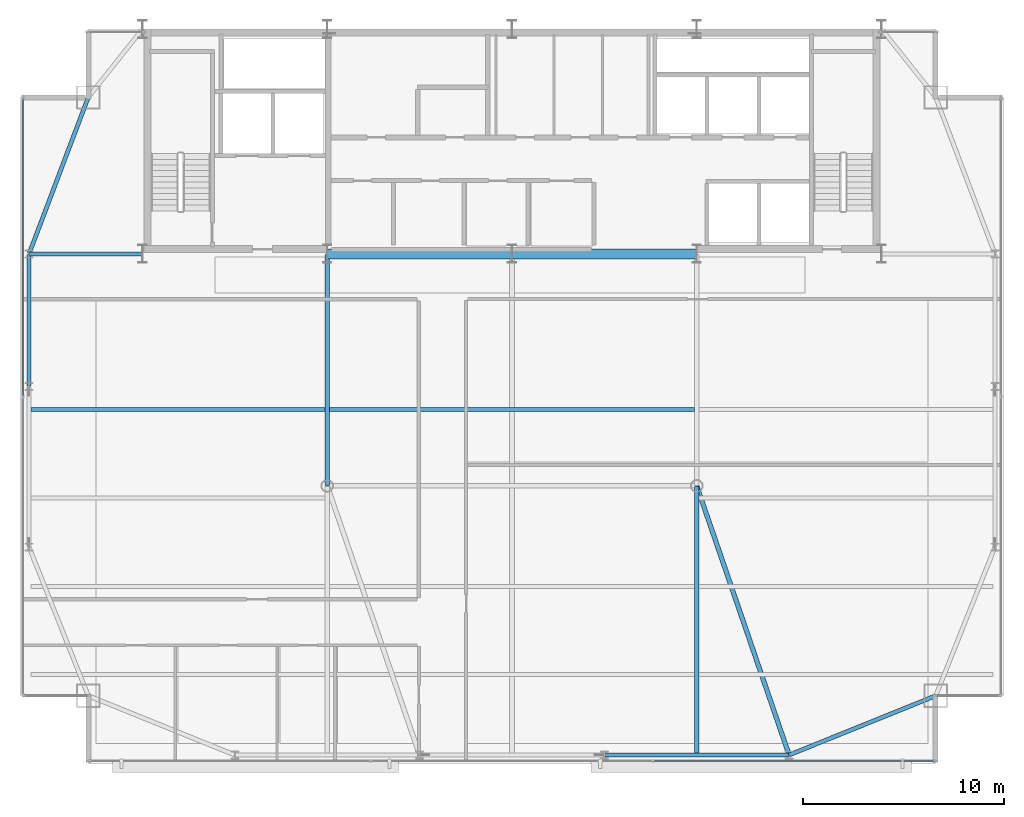
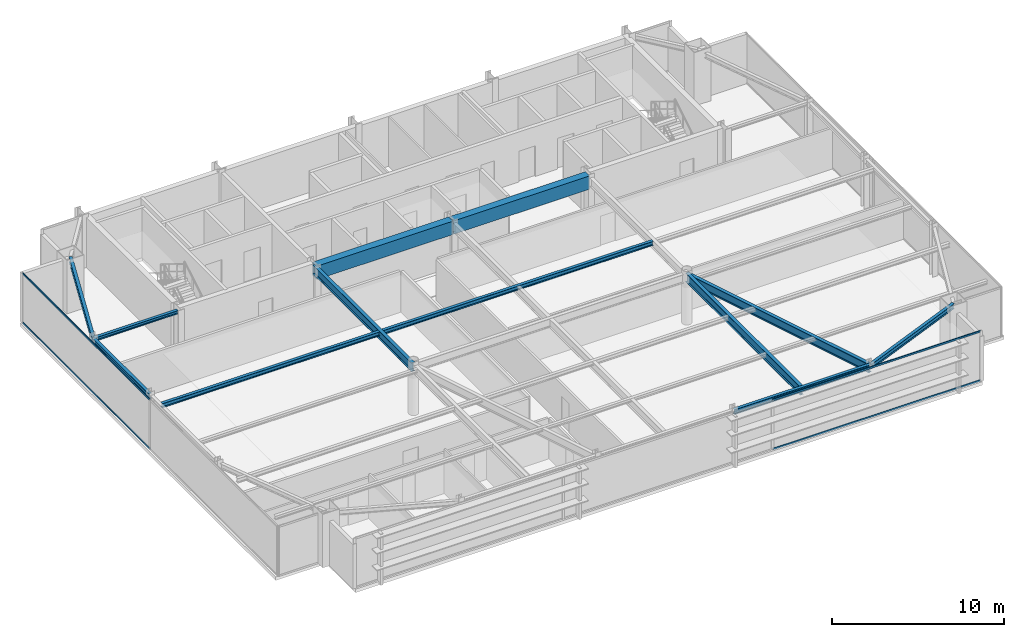
# One storey, part 10 of 25: 12 beams, 4 members, 2 elements without a shape of their own.
"""IFC4 building model written with IfcOpenShell, lengths in metres."""

from ifc_helpers import new_model, si_unit, direction, frame, origin, origin_2d, place, context, subcontext, project, spatial, rectangle, hollow_rectangle, i_section, extrude, source, transform, mapped, material, layer, layer_set, material_profile, profile_set, type_object, type_shapes, element, aggregate, save


model = new_model("IFC4")

# Units and contexts
model_context = context("Model", 3, precision=1e-05, world=origin(), true_north=direction((0.0, 1.0)))
body_context = subcontext(model_context, "Body", "Model", "MODEL_VIEW")
ifc_project = project(units=[si_unit("LENGTHUNIT", "METRE"), si_unit("AREAUNIT", "SQUARE_METRE"), si_unit("VOLUMEUNIT", "CUBIC_METRE"), si_unit("PLANEANGLEUNIT", "RADIAN"), si_unit("MASSUNIT", "GRAM", prefix="KILO")], contexts=[model_context])

# Site, building, storey
site_placement = place(None, origin())
site = spatial("IfcSite", under=ifc_project, at=site_placement, CompositionType="ELEMENT")
building_placement = place(site_placement, origin())
building = spatial("IfcBuilding", under=site, at=building_placement, Name="Varnel Quay Broadcast Tower", CompositionType="ELEMENT")
storey_placement = place(building_placement, frame((0.0, 0.0, 250.800048828125)))
storey = spatial("IfcBuildingStorey", under=building, at=storey_placement, Name="L62", CompositionType="ELEMENT", Elevation=250.800048828125)

# Beams
ifc_material_1 = material(Name="Concrete CSA A23.3 C50/60", Category="concrete")
ifc_material_profile_1 = material_profile(ifc_material_1, rectangle(XDim=0.5, YDim=0.949951171875, at=origin_2d()), Name="RC500X950")
ifc_profile_set_1 = profile_set([ifc_material_profile_1], Name="Concrete CSA A23.3 C50/60")
beam_type_1 = type_object("IfcBeamType", Name="Beam_RC500X950", PredefinedType="BEAM", material=ifc_profile_set_1)
shared_shape_1 = source(origin(), body_context, "Body", "SweptSolid", [
    extrude(rectangle(XDim=0.5, YDim=0.949951171875, at=origin_2d()), origin(), (0.0, 0.0, 1.0), 9.159912109375),
])
type_shapes(beam_type_1, [shared_shape_1])
for number, where, z_axis, x_axis, name in (
    (1, (24.820068359375, 35.60009765625, 3.074951171875), (1.0, 0.0, 0.0), (0.0, 1.0, 0.0), "L62 Core Coupling Beam W"),
    (2, (34.02001953125, 35.60009765625, 3.074951171875), (1.0, 0.0, 0.0), (0.0, 1.0, 0.0), "L62 Core Coupling Beam E"),
):
    element("IfcBeam", number, at=place(storey_placement, frame(where, z_axis=z_axis, x_axis=x_axis)), inside=storey, type_object=beam_type_1, Name=name, PredefinedType="BEAM", context=body_context, shape_type="MappedRepresentation", body=[
        mapped(shared_shape_1, transform((0.0, 0.0, 0.0), x_axis=(1.0, 0.0, 0.0), y_axis=(0.0, 1.0, 0.0), z_axis=(0.0, 0.0, 1.0), scale=1.0)),
    ])
ifc_material_2 = material(Name="Structural Steel CSA G40.21 350W", Category="steel")
ifc_material_profile_2 = material_profile(ifc_material_2, i_section(OverallWidth=0.205078125, OverallDepth=0.35400390625, WebThickness=0.009521484375, FlangeThickness=0.016845703125, FilletRadius=0.012939453125, at=origin_2d()), Name="W360X79")
ifc_profile_set_2 = profile_set([ifc_material_profile_2], Name="Structural Steel CSA G40.21 350W")
beam_type_2 = type_object("IfcBeamType", Name="Beam_W360X79", PredefinedType="SPANDREL", material=ifc_profile_set_2)
shared_shape_2 = source(origin(), body_context, "Body", "SweptSolid", [
    extrude(i_section(OverallWidth=0.205078125, OverallDepth=0.35400390625, WebThickness=0.009521484375, FlangeThickness=0.016845703125, FilletRadius=0.012939453125, at=origin_2d()), origin(), (0.0, 0.0, 1.0), 7.83349609375),
])
beam_1_placement = place(storey_placement, frame((47.818603515625, 10.657470703125, 3.373046875), z_axis=(0.927155449606, 0.374676890489, 0.0), x_axis=(-0.374676890489, 0.927155449606, 0.0)))
element("IfcBeam", 3, at=beam_1_placement, inside=storey, type_object=beam_type_2, Name="L62 South Spandrel TC-S4-MC-SE", PredefinedType="SPANDREL", context=body_context, shape_type="MappedRepresentation", body=[
    mapped(shared_shape_2, transform((0.0, 0.0, 0.0), x_axis=(1.0, 0.0, 0.0), y_axis=(0.0, 1.0, 0.0), z_axis=(0.0, 0.0, 1.0), scale=1.0)),
])
shared_shape_3 = source(origin(), body_context, "Body", "SweptSolid", [
    extrude(i_section(OverallWidth=0.205078125, OverallDepth=0.35400390625, WebThickness=0.009521484375, FlangeThickness=0.016845703125, FilletRadius=0.012939453125, at=origin_2d()), origin(), (0.0, 0.0, 1.0), 9.159912109375),
])
beam_2_placement = place(storey_placement, frame((38.6201171875, 10.64990234375, 3.373046875), z_axis=(1.0, 0.0, 0.0), x_axis=(0.0, 1.0, 0.0)))
element("IfcBeam", 4, at=beam_2_placement, inside=storey, type_object=beam_type_2, Name="L62 South Spandrel TC-S3-TC-S4", PredefinedType="SPANDREL", context=body_context, shape_type="MappedRepresentation", body=[
    mapped(shared_shape_3, transform((0.0, 0.0, 0.0), x_axis=(1.0, 0.0, 0.0), y_axis=(0.0, 1.0, 0.0), z_axis=(0.0, 0.0, 1.0), scale=1.0)),
])
shared_shape_4 = source(origin(), body_context, "Body", "SweptSolid", [
    extrude(i_section(OverallWidth=0.205078125, OverallDepth=0.35400390625, WebThickness=0.009521484375, FlangeThickness=0.016845703125, FilletRadius=0.012939453125, at=origin_2d()), origin(), (0.0, 0.0, 1.0), 6.56005859375),
])
beam_3_placement = place(storey_placement, frame((9.949951171875, 29.02001953125, 3.373046875), z_axis=(0.0, 1.0, 0.0), x_axis=(-1.0, 0.0, 0.0)))
element("IfcBeam", 5, at=beam_3_placement, inside=storey, type_object=beam_type_2, Name="L62 West Spandrel TC-W2-TC-W3", PredefinedType="SPANDREL", context=body_context, shape_type="MappedRepresentation", body=[
    mapped(shared_shape_4, transform((0.0, 0.0, 0.0), x_axis=(1.0, 0.0, 0.0), y_axis=(0.0, 1.0, 0.0), z_axis=(0.0, 0.0, 1.0), scale=1.0)),
])
shared_shape_5 = source(origin(), body_context, "Body", "SweptSolid", [
    extrude(i_section(OverallWidth=0.205078125, OverallDepth=0.35400390625, WebThickness=0.009521484375, FlangeThickness=0.016845703125, FilletRadius=0.012939453125, at=origin_2d()), origin(), (0.0, 0.0, 1.0), 8.29931640625),
])
type_shapes(beam_type_2, [shared_shape_2, shared_shape_3, shared_shape_4, shared_shape_5])
beam_4_placement = place(storey_placement, frame((9.95703125, 35.61865234375, 3.373046875), z_axis=(0.353739782058, 0.935343876117, 0.0), x_axis=(-0.935343876117, 0.353739782058, 0.0)))
element("IfcBeam", 6, at=beam_4_placement, inside=storey, type_object=beam_type_2, Name="L62 West Spandrel TC-W3-MC-NW", PredefinedType="SPANDREL", context=body_context, shape_type="MappedRepresentation", body=[
    mapped(shared_shape_5, transform((0.0, 0.0, 0.0), x_axis=(1.0, 0.0, 0.0), y_axis=(0.0, 1.0, 0.0), z_axis=(0.0, 0.0, 1.0), scale=1.0)),
])
ifc_material_profile_3 = material_profile(ifc_material_2, i_section(OverallWidth=0.22998046875, OverallDepth=0.616943359375, WebThickness=0.01318359375, FlangeThickness=0.022216796875, FilletRadius=0.01611328125, at=origin_2d()), Name="W610X140")
ifc_profile_set_3 = profile_set([ifc_material_profile_3], Name="Structural Steel CSA G40.21 350W")
beam_type_3 = type_object("IfcBeamType", Name="Girder_W610X140", PredefinedType="BEAM", material=ifc_profile_set_3)
shared_shape_6 = source(origin(), body_context, "Body", "SweptSolid", [
    extrude(i_section(OverallWidth=0.22998046875, OverallDepth=0.616943359375, WebThickness=0.01318359375, FlangeThickness=0.022216796875, FilletRadius=0.01611328125, at=origin_2d()), origin(), (0.0, 0.0, 1.0), 14.12744140625),
])
beam_5_placement = place(storey_placement, frame((47.79345703125, 10.6689453125, 3.241455078125), z_axis=(-0.324681288447, 0.945823482967, 0.0), x_axis=(-0.945823482967, -0.324681288447, 0.0)))
element("IfcBeam", 7, at=beam_5_placement, inside=storey, type_object=beam_type_3, Name="L62 Primary Girder TC-S4-IC-02", PredefinedType="BEAM", context=body_context, shape_type="MappedRepresentation", body=[
    mapped(shared_shape_6, transform((0.0, 0.0, 0.0), x_axis=(1.0, 0.0, 0.0), y_axis=(0.0, 1.0, 0.0), z_axis=(0.0, 0.0, 1.0), scale=1.0)),
])
shared_shape_7 = source(origin(), body_context, "Body", "SweptSolid", [
    extrude(i_section(OverallWidth=0.22998046875, OverallDepth=0.616943359375, WebThickness=0.01318359375, FlangeThickness=0.022216796875, FilletRadius=0.01611328125, at=origin_2d()), origin(), (0.0, 0.0, 1.0), 11.510009765625),
])
beam_6_placement = place(storey_placement, frame((24.800048828125, 24.070068359375, 3.241455078125), z_axis=(0.0, 1.0, 0.0), x_axis=(-1.0, 0.0, 0.0)))
element("IfcBeam", 8, at=beam_6_placement, inside=storey, type_object=beam_type_3, Name="L62 Primary Girder IC-01-CC-S2", PredefinedType="BEAM", context=body_context, shape_type="MappedRepresentation", body=[
    mapped(shared_shape_7, transform((0.0, 0.0, 0.0), x_axis=(1.0, 0.0, 0.0), y_axis=(0.0, 1.0, 0.0), z_axis=(0.0, 0.0, 1.0), scale=1.0)),
])
shared_shape_8 = source(origin(), body_context, "Body", "SweptSolid", [
    extrude(i_section(OverallWidth=0.22998046875, OverallDepth=0.616943359375, WebThickness=0.01318359375, FlangeThickness=0.022216796875, FilletRadius=0.01611328125, at=origin_2d()), origin(), (0.0, 0.0, 1.0), 13.360107421875),
])
type_shapes(beam_type_3, [shared_shape_6, shared_shape_7, shared_shape_8])
beam_7_placement = place(storey_placement, frame((43.199951171875, 10.669921875, 3.241455078125), z_axis=(0.0, 1.0, 0.0), x_axis=(-1.0, 0.0, 0.0)))
element("IfcBeam", 9, at=beam_7_placement, inside=storey, type_object=beam_type_3, Name="L62 N-S Joist Header IC-02S", PredefinedType="BEAM", context=body_context, shape_type="MappedRepresentation", body=[
    mapped(shared_shape_8, transform((0.0, 0.0, 0.0), x_axis=(1.0, 0.0, 0.0), y_axis=(0.0, 1.0, 0.0), z_axis=(0.0, 0.0, 1.0), scale=1.0)),
])
ifc_material_profile_4 = material_profile(ifc_material_2, i_section(OverallWidth=0.201904296875, OverallDepth=0.2470703125, WebThickness=0.00732421875, FlangeThickness=0.010986328125, FilletRadius=0.010986328125, at=origin_2d()), Name="W250X49")
ifc_profile_set_4 = profile_set([ifc_material_profile_4], Name="Structural Steel CSA G40.21 350W")
beam_type_4 = type_object("IfcBeamType", Name="Beam_W250X49", PredefinedType="JOIST", material=ifc_profile_set_4)
shared_shape_9 = source(origin(), body_context, "Body", "SweptSolid", [
    extrude(i_section(OverallWidth=0.201904296875, OverallDepth=0.2470703125, WebThickness=0.00732421875, FlangeThickness=0.010986328125, FilletRadius=0.010986328125, at=origin_2d()), origin(), (0.0, 0.0, 1.0), 5.610107421875),
])
type_shapes(beam_type_4, [shared_shape_9])
beam_8_placement = place(storey_placement, frame((9.969970703125, 35.60009765625, 3.426513671875), z_axis=(1.0, 0.0, 0.0), x_axis=(0.0, 1.0, 0.0)))
element("IfcBeam", 10, at=beam_8_placement, inside=storey, type_object=beam_type_4, Name="L62 West Core Tie Joist", PredefinedType="JOIST", context=body_context, shape_type="MappedRepresentation", body=[
    mapped(shared_shape_9, transform((0.0, 0.0, 0.0), x_axis=(1.0, 0.0, 0.0), y_axis=(0.0, 1.0, 0.0), z_axis=(0.0, 0.0, 1.0), scale=1.0)),
])
ifc_material_profile_5 = material_profile(ifc_material_2, i_section(OverallWidth=0.202880859375, OverallDepth=0.302978515625, WebThickness=0.007568359375, FlangeThickness=0.01318359375, FilletRadius=0.011962890625, at=origin_2d()), Name="W310X60")
ifc_profile_set_5 = profile_set([ifc_material_profile_5], Name="Structural Steel CSA G40.21 350W")
beam_type_5 = type_object("IfcBeamType", Name="Beam_W310X60", PredefinedType="JOIST", material=ifc_profile_set_5)
shared_shape_10 = source(origin(), body_context, "Body", "SweptSolid", [
    extrude(i_section(OverallWidth=0.202880859375, OverallDepth=0.302978515625, WebThickness=0.007568359375, FlangeThickness=0.01318359375, FilletRadius=0.011962890625, at=origin_2d()), origin(), (0.0, 0.0, 1.0), 14.642333984375),
])
beam_9_placement = place(storey_placement, frame((10.047607421875, 27.85009765625, 3.3984375), z_axis=(1.0, 0.0, 0.0), x_axis=(0.0, 1.0, 0.0)))
element("IfcBeam", 11, at=beam_9_placement, inside=storey, type_object=beam_type_5, Name="L62 West Floor Joist 4", PredefinedType="JOIST", context=body_context, shape_type="MappedRepresentation", body=[
    mapped(shared_shape_10, transform((0.0, 0.0, 0.0), x_axis=(1.0, 0.0, 0.0), y_axis=(0.0, 1.0, 0.0), z_axis=(0.0, 0.0, 1.0), scale=1.0)),
])
shared_shape_11 = source(origin(), body_context, "Body", "SweptSolid", [
    extrude(i_section(OverallWidth=0.202880859375, OverallDepth=0.302978515625, WebThickness=0.007568359375, FlangeThickness=0.01318359375, FilletRadius=0.011962890625, at=origin_2d()), origin(), (0.0, 0.0, 1.0), 18.18017578125),
])
type_shapes(beam_type_5, [shared_shape_10, shared_shape_11])
beam_10_placement = place(storey_placement, frame((24.909912109375, 27.85009765625, 3.3984375), z_axis=(1.0, 0.0, 0.0), x_axis=(0.0, 1.0, 0.0)))
element("IfcBeam", 12, at=beam_10_placement, inside=storey, type_object=beam_type_5, Name="L62 Central Floor Joist 4", PredefinedType="JOIST", context=body_context, shape_type="MappedRepresentation", body=[
    mapped(shared_shape_11, transform((0.0, 0.0, 0.0), x_axis=(1.0, 0.0, 0.0), y_axis=(0.0, 1.0, 0.0), z_axis=(0.0, 0.0, 1.0), scale=1.0)),
])

# Curtain wall, members
ifc_material_3 = material(Name="Anodised Bronze Aluminium 6063-T6", Category="aluminium")
ifc_layer = layer(ifc_material_3, 0.18994140625, Name="Anodised Bronze Aluminium 6063-T6")
ifc_layer_set = layer_set([ifc_layer], Name="Anodised Bronze Aluminium 6063-T6")
curtain_wall_type = type_object("IfcCurtainWallType", Name="CW_UpperTower", PredefinedType="NOTDEFINED", material=ifc_layer_set)
curtain_wall_1_placement = place(storey_placement, origin())
curtain_wall_1 = element("IfcCurtainWall", 13, at=curtain_wall_1_placement, inside=storey, type_object=curtain_wall_type, Name="L62 West Unitised Curtain Wall", PredefinedType="NOTDEFINED")
ifc_material_profile_6 = material_profile(ifc_material_3, hollow_rectangle(XDim=0.06005859375, YDim=0.125, WallThickness=0.0029296875, at=origin_2d()), Name="ALU60X125X3")
ifc_profile_set_6 = profile_set([ifc_material_profile_6], Name="Anodised Bronze Aluminium 6063-T6")
member_type = type_object("IfcMemberType", Name="Tran_CWS-03", PredefinedType="USERDEFINED", material=ifc_profile_set_6)
shared_shape_12 = source(origin(), body_context, "Body", "SweptSolid", [
    extrude(hollow_rectangle(XDim=0.06005859375, YDim=0.125, WallThickness=0.0029296875, at=origin_2d()), origin(), (0.0, 0.0, 1.0), 14.802490234375),
])
member_1_placement = place(storey_placement, frame((9.64990234375, 28.532470703125, 0.030029296875), z_axis=(0.0, 1.0, 0.0), x_axis=(-1.0, 0.0, 0.0)))
member_1 = element("IfcMember", 14, at=member_1_placement, type_object=member_type, Name="CWS-03 transom 2.1", ObjectType="TRANSOM", PredefinedType="USERDEFINED", context=body_context, shape_type="MappedRepresentation", body=[
    mapped(shared_shape_12, transform((0.0, 0.0, 0.0), x_axis=(1.0, 0.0, 0.0), y_axis=(0.0, 1.0, 0.0), z_axis=(0.0, 0.0, 1.0), scale=1.0)),
])
member_2_placement = place(storey_placement, frame((9.64990234375, 28.532470703125, 3.52001953125), z_axis=(0.0, 1.0, 0.0), x_axis=(-1.0, 0.0, 0.0)))
member_2 = element("IfcMember", 15, at=member_2_placement, type_object=member_type, Name="CWS-03 transom 2.2", ObjectType="TRANSOM", PredefinedType="USERDEFINED", context=body_context, shape_type="MappedRepresentation", body=[
    mapped(shared_shape_12, transform((0.0, 0.0, 0.0), x_axis=(1.0, 0.0, 0.0), y_axis=(0.0, 1.0, 0.0), z_axis=(0.0, 0.0, 1.0), scale=1.0)),
])
aggregate(curtain_wall_1, [member_1, member_2])

curtain_wall_2_placement = place(storey_placement, origin())
curtain_wall_2 = element("IfcCurtainWall", 16, at=curtain_wall_2_placement, inside=storey, type_object=curtain_wall_type, Name="L62 South Unitised Curtain Wall 1", PredefinedType="NOTDEFINED")
shared_shape_13 = source(origin(), body_context, "Body", "SweptSolid", [
    extrude(hollow_rectangle(XDim=0.06005859375, YDim=0.125, WallThickness=0.0029296875, at=origin_2d()), origin(), (0.0, 0.0, 1.0), 13.968994140625),
])
type_shapes(member_type, [shared_shape_12, shared_shape_13])
member_3_placement = place(storey_placement, frame((41.06591796875, 10.35009765625, 0.030029296875), z_axis=(1.0, 0.0, 0.0), x_axis=(0.0, 1.0, 0.0)))
member_3 = element("IfcMember", 17, at=member_3_placement, type_object=member_type, Name="CWS-03 transom 3.1", ObjectType="TRANSOM", PredefinedType="USERDEFINED", context=body_context, shape_type="MappedRepresentation", body=[
    mapped(shared_shape_13, transform((0.0, 0.0, 0.0), x_axis=(1.0, 0.0, 0.0), y_axis=(0.0, 1.0, 0.0), z_axis=(0.0, 0.0, 1.0), scale=1.0)),
])
member_4_placement = place(storey_placement, frame((41.06591796875, 10.35009765625, 3.52001953125), z_axis=(1.0, 0.0, 0.0), x_axis=(0.0, 1.0, 0.0)))
member_4 = element("IfcMember", 18, at=member_4_placement, type_object=member_type, Name="CWS-03 transom 3.2", ObjectType="TRANSOM", PredefinedType="USERDEFINED", context=body_context, shape_type="MappedRepresentation", body=[
    mapped(shared_shape_13, transform((0.0, 0.0, 0.0), x_axis=(1.0, 0.0, 0.0), y_axis=(0.0, 1.0, 0.0), z_axis=(0.0, 0.0, 1.0), scale=1.0)),
])
aggregate(curtain_wall_2, [member_3, member_4])

save(model, "model.ifc")
